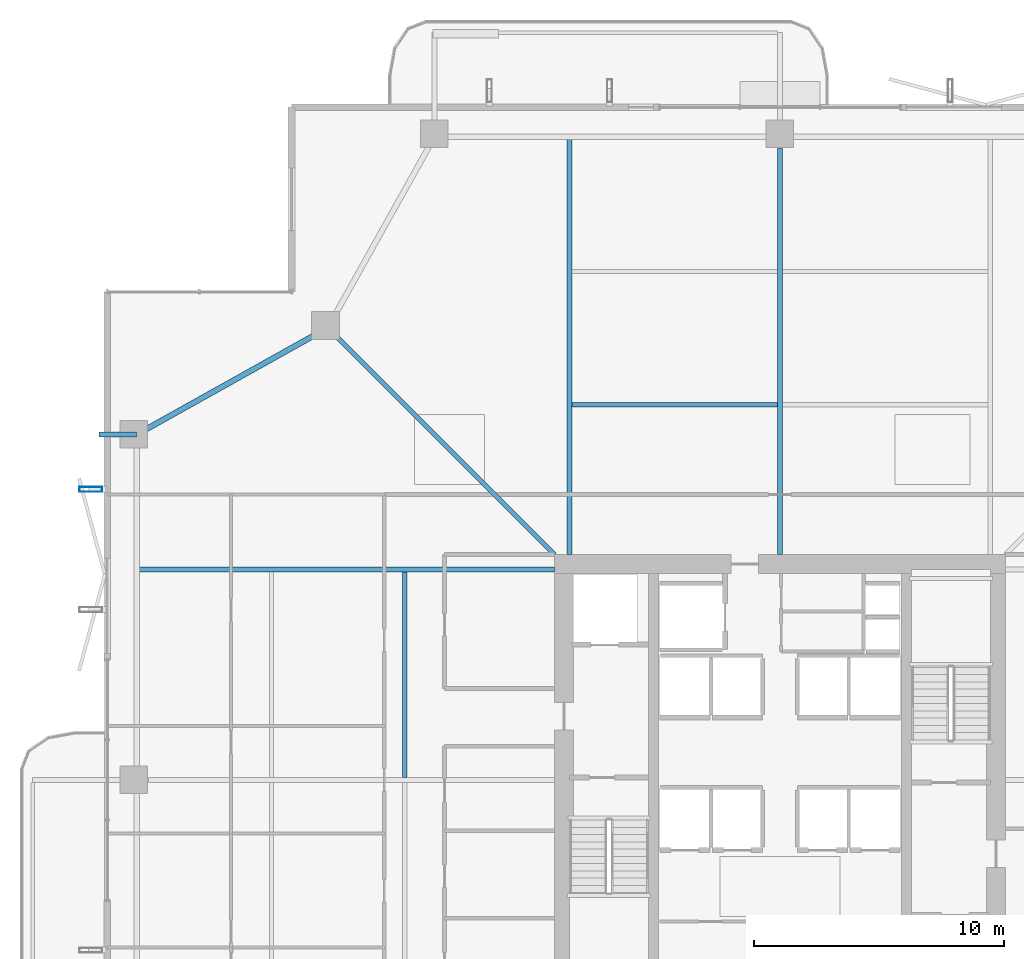
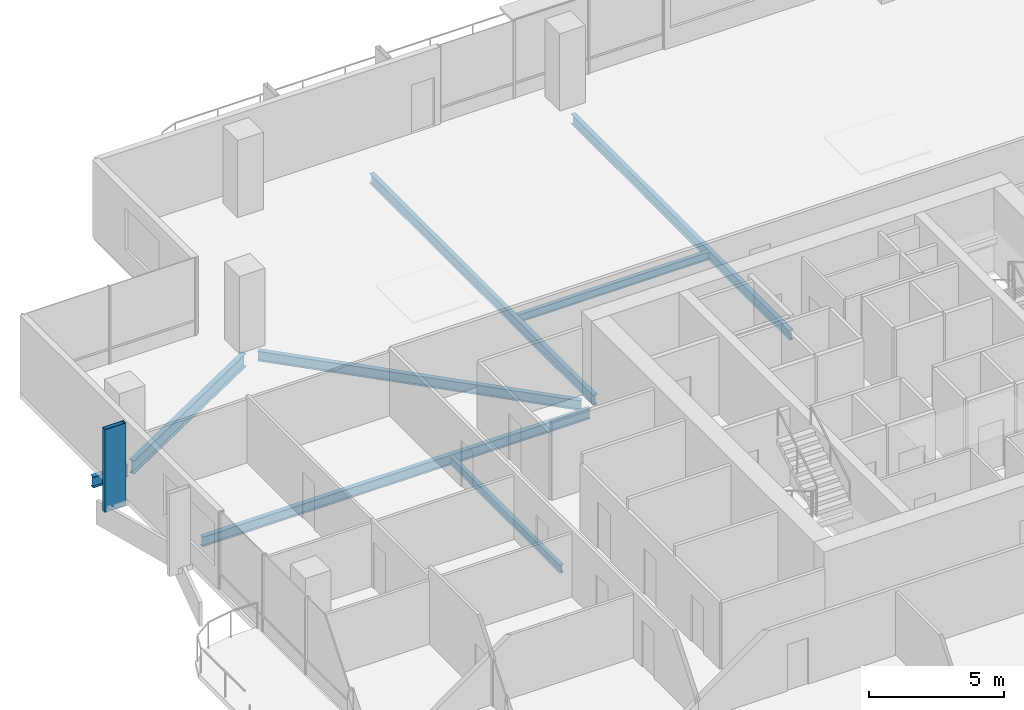
# One storey, part 13 of 29: 8 beams, 1 member.
"""IFC4 building model written with IfcOpenShell, lengths in metres."""

from ifc_helpers import new_model, si_unit, direction, frame, origin, origin_2d, place, context, subcontext, project, spatial, hollow_rectangle, i_section, extrude, material, material_profile, profile_set, type_object, element, save


model = new_model("IFC4")

# Units and contexts
model_context = context("Model", 3, precision=1e-05, world=origin(), true_north=direction((0.0, 1.0)))
body_context = subcontext(model_context, "Body", "Model", "MODEL_VIEW")
ifc_project = project(units=[si_unit("LENGTHUNIT", "METRE"), si_unit("AREAUNIT", "SQUARE_METRE"), si_unit("VOLUMEUNIT", "CUBIC_METRE"), si_unit("PLANEANGLEUNIT", "RADIAN"), si_unit("MASSUNIT", "GRAM", prefix="KILO")], contexts=[model_context])

# Site, building, storey
site_placement = place(None, origin())
site = spatial("IfcSite", under=ifc_project, at=site_placement, CompositionType="ELEMENT")
building_placement = place(site_placement, origin())
building = spatial("IfcBuilding", under=site, at=building_placement, Name="Belovzor Exchange Tower", CompositionType="ELEMENT")
storey_placement = place(building_placement, frame((0.0, 0.0, 199.949951171875)))
storey = spatial("IfcBuildingStorey", under=building, at=storey_placement, Name="L49", CompositionType="ELEMENT", Elevation=199.949951171875)

# Beams
ifc_material_1 = material(Name="Steel S355", Category="steel")
ifc_material_profile_1 = material_profile(ifc_material_1, i_section(OverallWidth=0.199951171875, OverallDepth=0.5, WebThickness=0.01025390625, FlangeThickness=0.01611328125, at=origin_2d()))
ifc_profile_set_1 = profile_set([ifc_material_profile_1], Name="Steel S355")
beam_type_1 = type_object("IfcBeamType", Name="Planted Balcony Cantilever Beam IPE 500", PredefinedType="BEAM", material=ifc_profile_set_1)
beam_1_placement = place(storey_placement, frame((3.111083984375, 42.60009765625, -0.5), z_axis=(-1.0, 0.0, 0.0), x_axis=(0.0, -1.0, 0.0)))
element("IfcBeam", 1, at=beam_1_placement, inside=storey, type_object=beam_type_1, Name="BC-500 Planted Balcony Cantilever Beam IPE 500", PredefinedType="BEAM", context=body_context, shape_type="SweptSolid", body=[
    extrude(i_section(OverallWidth=0.199951171875, OverallDepth=0.5, WebThickness=0.01025390625, FlangeThickness=0.01611328125, at=origin_2d()), origin(), (0.0, 0.0, 1.0), 1.510986328125),
])
ifc_material_2 = material(Name="Steel S355", Category="steel")
ifc_material_profile_2 = material_profile(ifc_material_2, i_section(OverallWidth=0.169921875, OverallDepth=0.360107421875, WebThickness=0.008056640625, FlangeThickness=0.0126953125, at=origin_2d()))
ifc_profile_set_2 = profile_set([ifc_material_profile_2], Name="Steel S355")
beam_type_2 = type_object("IfcBeamType", Name="Secondary Infill Floor Joist IPE 360", PredefinedType="BEAM", material=ifc_profile_set_2)
for number, where, z_axis, x_axis, name in (
    (2, (20.4951171875, 43.783935546875, -0.429931640625), (1.0, 0.0, 0.0), (0.0, 1.0, 0.0), "FJ-360 Secondary Infill Floor Joist IPE 360"),
    (3, (13.81591796875, 28.89501953125, -0.429931640625), (0.0, 1.0, 0.0), (-1.0, 0.0, 0.0), "FJ-360 Secondary Infill Floor Joist IPE 360"),
):
    element("IfcBeam", number, at=place(storey_placement, frame(where, z_axis=z_axis, x_axis=x_axis)), inside=storey, type_object=beam_type_2, Name=name, PredefinedType="BEAM", context=body_context, shape_type="SweptSolid", body=[
        extrude(i_section(OverallWidth=0.169921875, OverallDepth=0.360107421875, WebThickness=0.008056640625, FlangeThickness=0.0126953125, at=origin_2d()), origin(), (0.0, 0.0, 1.0), 8.2099609375),
    ])

# Member
ifc_material_3 = material(Name="Extruded Architectural Terracotta on Steel S355 Carrier", Category="masonry")
ifc_material_profile_3 = material_profile(ifc_material_3, hollow_rectangle(XDim=0.199951171875, YDim=0.89990234375, WallThickness=0.011962890625, at=origin_2d()))
ifc_profile_set_3 = profile_set([ifc_material_profile_3], Name="Extruded Architectural Terracotta on Steel S355 Carrier")
member_type = type_object("IfcMemberType", Name="Sweeping Terracotta Baguette Fin Assembly 950", PredefinedType="USERDEFINED", material=ifc_profile_set_3)
member_placement = place(storey_placement, frame((1.27490234375, 40.39990234375, -0.25), z_axis=(0.0, 0.0, 1.0), x_axis=(0.0, 1.0, 0.0)))
element("IfcMember", 4, at=member_placement, inside=storey, type_object=member_type, Name="FIN-TC095 Terracotta Facade Fin L49 W4", ObjectType="FIN", PredefinedType="USERDEFINED", context=body_context, shape_type="SweptSolid", body=[
    extrude(hollow_rectangle(XDim=0.199951171875, YDim=0.89990234375, WallThickness=0.011962890625, at=origin_2d()), origin(), (0.0, 0.0, 1.0), 3.75),
])

# Beams
ifc_material_4 = material(Name="Steel S355", Category="steel")
ifc_material_profile_4 = material_profile(ifc_material_4, i_section(OverallWidth=0.18994140625, OverallDepth=0.449951171875, WebThickness=0.009521484375, FlangeThickness=0.0146484375, at=origin_2d()))
ifc_profile_set_4 = profile_set([ifc_material_profile_4], Name="Steel S355")
beam_type_3 = type_object("IfcBeamType", Name="Zone 2-4 Radial Composite Floor Beam IPE 450", PredefinedType="BEAM", material=ifc_profile_set_4)
beam_2_placement = place(storey_placement, frame((20.39990234375, 37.800048828125, -0.474853515625), z_axis=(0.0, 1.0, 0.0), x_axis=(-1.0, 0.0, 0.0)))
element("IfcBeam", 5, at=beam_2_placement, inside=storey, type_object=beam_type_3, Name="FB-450 Zone 2-4 Radial Composite Floor Beam IPE 450", PredefinedType="BEAM", context=body_context, shape_type="SweptSolid", body=[
    extrude(i_section(OverallWidth=0.18994140625, OverallDepth=0.449951171875, WebThickness=0.009521484375, FlangeThickness=0.0146484375, at=origin_2d()), origin(), (0.0, 0.0, 1.0), 16.623046875),
])
beam_3_placement = place(storey_placement, frame((28.800048828125, 37.800048828125, -0.474853515625), z_axis=(0.0, 1.0, 0.0), x_axis=(-1.0, 0.0, 0.0)))
element("IfcBeam", 6, at=beam_3_placement, inside=storey, type_object=beam_type_3, Name="FB-450 Zone 2-4 Radial Composite Floor Beam IPE 450", PredefinedType="BEAM", context=body_context, shape_type="SweptSolid", body=[
    extrude(i_section(OverallWidth=0.18994140625, OverallDepth=0.449951171875, WebThickness=0.009521484375, FlangeThickness=0.0146484375, at=origin_2d()), origin(), (0.0, 0.0, 1.0), 16.2099609375),
])
beam_4_placement = place(storey_placement, frame((19.800048828125, 37.199951171875, -0.474853515625), z_axis=(-1.0, 0.0, 0.0), x_axis=(0.0, -1.0, 0.0)))
element("IfcBeam", 7, at=beam_4_placement, inside=storey, type_object=beam_type_3, Name="FB-450 Zone 2-4 Radial Composite Floor Beam IPE 450", PredefinedType="BEAM", context=body_context, shape_type="SweptSolid", body=[
    extrude(i_section(OverallWidth=0.18994140625, OverallDepth=0.449951171875, WebThickness=0.009521484375, FlangeThickness=0.0146484375, at=origin_2d()), origin(), (0.0, 0.0, 1.0), 16.623046875),
])
beam_5_placement = place(storey_placement, frame((19.800048828125, 37.800048828125, -0.474853515625), z_axis=(-0.707106781187, 0.707106781187, 0.0), x_axis=(-0.707106781187, -0.707106781187, 0.0)))
element("IfcBeam", 8, at=beam_5_placement, inside=storey, type_object=beam_type_3, Name="FB-450 Zone 2-4 Radial Composite Floor Beam IPE 450", PredefinedType="BEAM", context=body_context, shape_type="SweptSolid", body=[
    extrude(i_section(OverallWidth=0.18994140625, OverallDepth=0.449951171875, WebThickness=0.009521484375, FlangeThickness=0.0146484375, at=origin_2d()), origin(), (0.0, 0.0, 1.0), 12.4208984375),
])
ifc_material_5 = material(Name="Steel S355", Category="steel")
ifc_material_profile_5 = material_profile(ifc_material_5, i_section(OverallWidth=0.219970703125, OverallDepth=0.60009765625, WebThickness=0.011962890625, FlangeThickness=0.01904296875, at=origin_2d()))
ifc_profile_set_5 = profile_set([ifc_material_profile_5], Name="Steel S355")
beam_type_4 = type_object("IfcBeamType", Name="Zone 4 Flare Primary Girder IPE 600", PredefinedType="BEAM", material=ifc_profile_set_5)
beam_6_placement = place(storey_placement, frame((10.47802734375, 46.7099609375, -0.550048828125), z_axis=(-0.873010850475, -0.487700784244, 0.0), x_axis=(0.487700784244, -0.873010850475, 0.0)))
element("IfcBeam", 9, at=beam_6_placement, inside=storey, type_object=beam_type_4, Name="FG-Z4 Zone 4 Flare Primary Girder IPE 600", PredefinedType="BEAM", context=body_context, shape_type="SweptSolid", body=[
    extrude(i_section(OverallWidth=0.219970703125, OverallDepth=0.60009765625, WebThickness=0.011962890625, FlangeThickness=0.01904296875, at=origin_2d()), origin(), (0.0, 0.0, 1.0), 8.123779296875),
])

save(model, "model.ifc")
